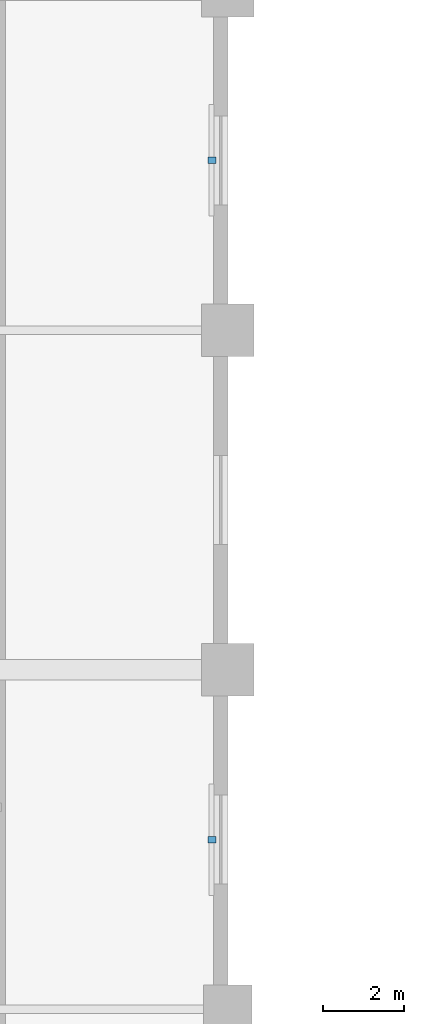
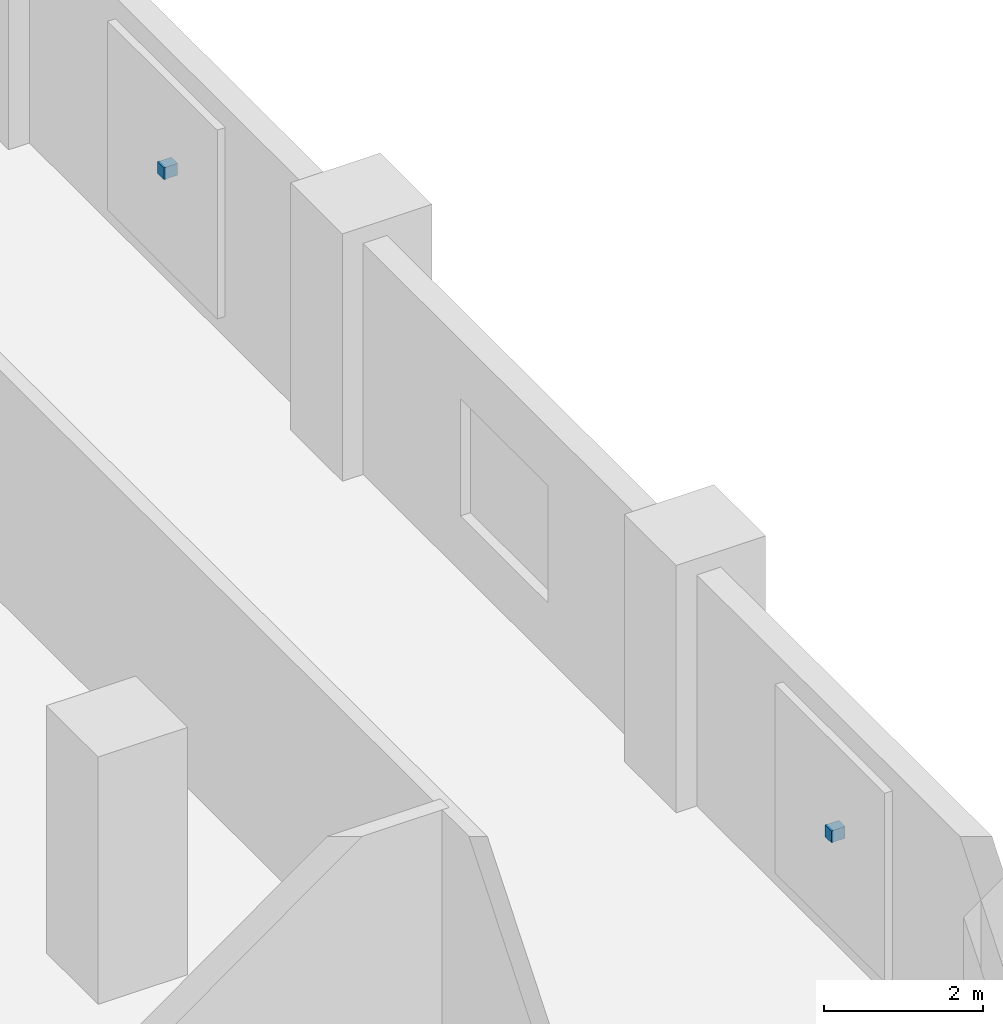
# One storey, part 19 of 23: 2 discrete accessories.
"""IFC4 building model written with IfcOpenShell, lengths in metres."""

from ifc_helpers import new_model, si_unit, direction, frame, origin, origin_2d, place, context, subcontext, project, spatial, rectangle, extrude, material, type_object, element, save


model = new_model("IFC4")

# Units and contexts
model_context = context("Model", 3, precision=1e-05, world=origin(), true_north=direction((0.0, 1.0)))
body_context = subcontext(model_context, "Body", "Model", "MODEL_VIEW")
ifc_project = project(units=[si_unit("LENGTHUNIT", "METRE"), si_unit("AREAUNIT", "SQUARE_METRE"), si_unit("VOLUMEUNIT", "CUBIC_METRE"), si_unit("PLANEANGLEUNIT", "RADIAN"), si_unit("MASSUNIT", "GRAM", prefix="KILO")], contexts=[model_context])

# Site, building, storey
site_placement = place(None, origin())
site = spatial("IfcSite", under=ifc_project, at=site_placement, CompositionType="ELEMENT")
building_placement = place(site_placement, origin())
building = spatial("IfcBuilding", under=site, at=building_placement, Name="Koriwani Terraces Tower", CompositionType="ELEMENT")
storey_placement = place(building_placement, frame((0.0, 0.0, 119.0)))
storey = spatial("IfcBuildingStorey", under=building, at=storey_placement, Name="L28", CompositionType="ELEMENT", Elevation=119.0)

# Discrete accessories
ifc_material = material(Name="Steel ASTM A572 Grade 50", Category="steel")
discrete_accessory_type = type_object("IfcDiscreteAccessoryType", Name="BAGUETTE_STANDOFF_BRACKET", PredefinedType="BRACKET", material=ifc_material)
for number, where, z_axis, x_axis, name in (
    (1, (33.2099609375, 63.0, 1.68505859375), (0.0, 0.0, 1.0), (0.0, -1.0, 0.0), "L28 Terracotta Baguette Bracket (NW_IN-11)"),
    (2, (33.2099609375, 79.800048828125, 1.68505859375), (0.0, 0.0, 1.0), (0.0, -1.0, 0.0), "L28 Terracotta Baguette Bracket (NW_IN-17)"),
):
    element("IfcDiscreteAccessory", number, at=place(storey_placement, frame(where, z_axis=z_axis, x_axis=x_axis)), inside=storey, type_object=discrete_accessory_type, Name=name, PredefinedType="BRACKET", context=body_context, shape_type="SweptSolid", body=[
        extrude(rectangle(XDim=0.159912109375, YDim=0.199951171875, at=origin_2d()), origin(), (0.0, 0.0, 1.0), 0.179931640625),
    ])

save(model, "model.ifc")
